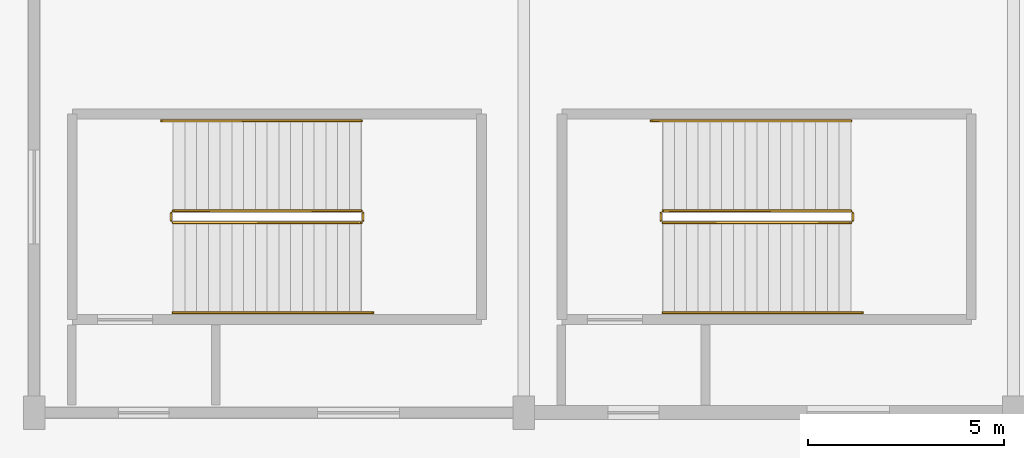
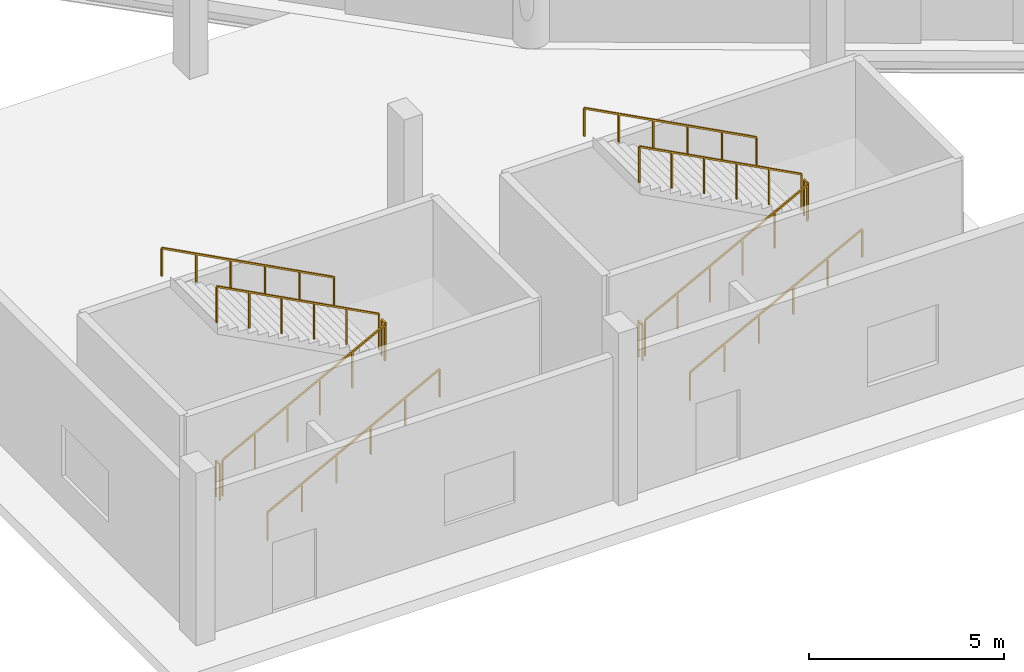
# One storey, part 58 of 82: 12 railings.
"""IFC4 building model written with IfcOpenShell, lengths in metres."""

from ifc_helpers import new_model, si_unit, direction, frame, origin, origin_2d, place, context, subcontext, project, spatial, rectangle, extrude, material, type_object, element, save


model = new_model("IFC4")

# Units and contexts
model_context = context("Model", 3, precision=1e-05, world=origin(), true_north=direction((0.0, 1.0)))
body_context = subcontext(model_context, "Body", "Model", "MODEL_VIEW")
ifc_project = project(units=[si_unit("LENGTHUNIT", "METRE"), si_unit("AREAUNIT", "SQUARE_METRE"), si_unit("VOLUMEUNIT", "CUBIC_METRE"), si_unit("PLANEANGLEUNIT", "RADIAN"), si_unit("MASSUNIT", "GRAM", prefix="KILO")], contexts=[model_context])

# Site, building, storey
site_placement = place(None, origin())
site = spatial("IfcSite", under=ifc_project, at=site_placement, CompositionType="ELEMENT")
building_placement = place(site_placement, origin())
building = spatial("IfcBuilding", under=site, at=building_placement, Name="Zlatoyarsky Gate Stadium", CompositionType="ELEMENT")
storey_placement = place(building_placement, origin())
storey = spatial("IfcBuildingStorey", under=building, at=storey_placement, Name="L00", CompositionType="ELEMENT", Elevation=0.0)

# Railings
ifc_material_1 = material(Name="Powder-coated steel stair guardrail", Category="steel")
railing_type_1 = type_object("IfcRailingType", Name="PAINTED STEEL STAIR WELL GUARDRAIL 1150", PredefinedType="GUARDRAIL", material=ifc_material_1)
railing_1_placement = place(storey_placement, frame((28.050048828125, 15.85009765625, 0.158935546875)))
element("IfcRailing", 1, at=railing_1_placement, inside=storey, type_object=railing_type_1, Name="ST-21 L00 stair guard 1", PredefinedType="GUARDRAIL", context=body_context, shape_type="SweptSolid", body=[
    extrude(rectangle(XDim=0.048095703125, YDim=0.048095703125, at=origin_2d()), frame((0.0, 0.0, 1.1259765625), z_axis=(0.883802130504, 0.0, 0.467860870469), x_axis=(0.0, 1.0, 0.0)), (0.0, 0.0, 1.0), 5.43115234375),
    extrude(rectangle(XDim=0.0419921875, YDim=0.0419921875, at=origin_2d()), origin(), (0.0, 0.0, 1.0), 1.101806640625),
    extrude(rectangle(XDim=0.0419921875, YDim=0.0419921875, at=origin_2d()), frame((0.9599609375, 0.0, 0.50830078125)), (0.0, 0.0, 1.0), 1.101806640625),
    extrude(rectangle(XDim=0.0419921875, YDim=0.0419921875, at=origin_2d()), frame((1.919921875, 0.0, 1.016357421875)), (0.0, 0.0, 1.0), 1.101806640625),
    extrude(rectangle(XDim=0.0419921875, YDim=0.0419921875, at=origin_2d()), frame((2.880126953125, 0.0, 1.524658203125)), (0.0, 0.0, 1.0), 1.101806640625),
    extrude(rectangle(XDim=0.0419921875, YDim=0.0419921875, at=origin_2d()), frame((3.840087890625, 0.0, 2.03271484375)), (0.0, 0.0, 1.0), 1.101806640625),
    extrude(rectangle(XDim=0.0419921875, YDim=0.0419921875, at=origin_2d()), frame((4.800048828125, 0.0, 2.541015625)), (0.0, 0.0, 1.0), 1.101806640625),
])
railing_2_placement = place(storey_placement, frame((32.89990234375, 15.89990234375, 2.699951171875)))
element("IfcRailing", 2, at=railing_2_placement, inside=storey, type_object=railing_type_1, Name="ST-21 L00 stair guard 2", PredefinedType="GUARDRAIL", context=body_context, shape_type="SweptSolid", body=[
    extrude(rectangle(XDim=0.048095703125, YDim=0.048095703125, at=origin_2d()), frame((0.0, 0.0, 1.1259765625), z_axis=(0.0, 1.0, 0.0), x_axis=(-1.0, 0.0, 0.0)), (0.0, 0.0, 1.0), 0.2001953125),
    extrude(rectangle(XDim=0.0419921875, YDim=0.0419921875, at=origin_2d()), origin(), (0.0, 0.0, 1.0), 1.101806640625),
    extrude(rectangle(XDim=0.0419921875, YDim=0.0419921875, at=origin_2d()), frame((0.0, 0.2001953125, 0.0)), (0.0, 0.0, 1.0), 1.101806640625),
])
railing_3_placement = place(storey_placement, frame((32.85009765625, 16.14990234375, 2.85888671875)))
element("IfcRailing", 3, at=railing_3_placement, inside=storey, type_object=railing_type_1, Name="ST-21 L00 stair guard 3", PredefinedType="GUARDRAIL", context=body_context, shape_type="SweptSolid", body=[
    extrude(rectangle(XDim=0.048095703125, YDim=0.048095703125, at=origin_2d()), frame((0.0, 0.0, 1.1259765625), z_axis=(-0.883802130504, 0.0, 0.467860870469), x_axis=(0.0, -1.0, 0.0)), (0.0, 0.0, 1.0), 5.43115234375),
    extrude(rectangle(XDim=0.0419921875, YDim=0.0419921875, at=origin_2d()), origin(), (0.0, 0.0, 1.0), 1.101806640625),
    extrude(rectangle(XDim=0.0419921875, YDim=0.0419921875, at=origin_2d()), frame((-0.9599609375, 0.0, 0.50830078125)), (0.0, 0.0, 1.0), 1.101806640625),
    extrude(rectangle(XDim=0.0419921875, YDim=0.0419921875, at=origin_2d()), frame((-1.919921875, 0.0, 1.016357421875)), (0.0, 0.0, 1.0), 1.101806640625),
    extrude(rectangle(XDim=0.0419921875, YDim=0.0419921875, at=origin_2d()), frame((-2.880126953125, 0.0, 1.524658203125)), (0.0, 0.0, 1.0), 1.101806640625),
    extrude(rectangle(XDim=0.0419921875, YDim=0.0419921875, at=origin_2d()), frame((-3.840087890625, 0.0, 2.03271484375)), (0.0, 0.0, 1.0), 1.101806640625),
    extrude(rectangle(XDim=0.0419921875, YDim=0.0419921875, at=origin_2d()), frame((-4.800048828125, 0.0, 2.541015625)), (0.0, 0.0, 1.0), 1.101806640625),
])
railing_4_placement = place(storey_placement, frame((28.0, 15.89990234375, 0.0)))
element("IfcRailing", 4, at=railing_4_placement, inside=storey, type_object=railing_type_1, Name="ST-21 L00 stair guard 4", PredefinedType="GUARDRAIL", context=body_context, shape_type="SweptSolid", body=[
    extrude(rectangle(XDim=0.048095703125, YDim=0.048095703125, at=origin_2d()), frame((0.0, 0.0, 1.1259765625), z_axis=(0.0, 1.0, 0.0), x_axis=(-1.0, 0.0, 0.0)), (0.0, 0.0, 1.0), 0.2001953125),
    extrude(rectangle(XDim=0.0419921875, YDim=0.0419921875, at=origin_2d()), origin(), (0.0, 0.0, 1.0), 1.101806640625),
    extrude(rectangle(XDim=0.0419921875, YDim=0.0419921875, at=origin_2d()), frame((0.0, 0.2001953125, 0.0)), (0.0, 0.0, 1.0), 1.101806640625),
])
railing_5_placement = place(storey_placement, frame((40.550048828125, 15.85009765625, 0.158935546875)))
element("IfcRailing", 5, at=railing_5_placement, inside=storey, type_object=railing_type_1, Name="ST-22 L00 stair guard 1", PredefinedType="GUARDRAIL", context=body_context, shape_type="SweptSolid", body=[
    extrude(rectangle(XDim=0.048095703125, YDim=0.048095703125, at=origin_2d()), frame((0.0, 0.0, 1.1259765625), z_axis=(0.883802130504, 0.0, 0.467860870469), x_axis=(0.0, 1.0, 0.0)), (0.0, 0.0, 1.0), 5.43115234375),
    extrude(rectangle(XDim=0.0419921875, YDim=0.0419921875, at=origin_2d()), origin(), (0.0, 0.0, 1.0), 1.101806640625),
    extrude(rectangle(XDim=0.0419921875, YDim=0.0419921875, at=origin_2d()), frame((0.9599609375, 0.0, 0.50830078125)), (0.0, 0.0, 1.0), 1.101806640625),
    extrude(rectangle(XDim=0.0419921875, YDim=0.0419921875, at=origin_2d()), frame((1.919921875, 0.0, 1.016357421875)), (0.0, 0.0, 1.0), 1.101806640625),
    extrude(rectangle(XDim=0.0419921875, YDim=0.0419921875, at=origin_2d()), frame((2.880126953125, 0.0, 1.524658203125)), (0.0, 0.0, 1.0), 1.101806640625),
    extrude(rectangle(XDim=0.0419921875, YDim=0.0419921875, at=origin_2d()), frame((3.840087890625, 0.0, 2.03271484375)), (0.0, 0.0, 1.0), 1.101806640625),
    extrude(rectangle(XDim=0.0419921875, YDim=0.0419921875, at=origin_2d()), frame((4.800048828125, 0.0, 2.541015625)), (0.0, 0.0, 1.0), 1.101806640625),
])
railing_6_placement = place(storey_placement, frame((45.39990234375, 15.89990234375, 2.699951171875)))
element("IfcRailing", 6, at=railing_6_placement, inside=storey, type_object=railing_type_1, Name="ST-22 L00 stair guard 2", PredefinedType="GUARDRAIL", context=body_context, shape_type="SweptSolid", body=[
    extrude(rectangle(XDim=0.048095703125, YDim=0.048095703125, at=origin_2d()), frame((0.0, 0.0, 1.1259765625), z_axis=(0.0, 1.0, 0.0), x_axis=(-1.0, 0.0, 0.0)), (0.0, 0.0, 1.0), 0.2001953125),
    extrude(rectangle(XDim=0.0419921875, YDim=0.0419921875, at=origin_2d()), origin(), (0.0, 0.0, 1.0), 1.101806640625),
    extrude(rectangle(XDim=0.0419921875, YDim=0.0419921875, at=origin_2d()), frame((0.0, 0.2001953125, 0.0)), (0.0, 0.0, 1.0), 1.101806640625),
])
railing_7_placement = place(storey_placement, frame((45.35009765625, 16.14990234375, 2.85888671875)))
element("IfcRailing", 7, at=railing_7_placement, inside=storey, type_object=railing_type_1, Name="ST-22 L00 stair guard 3", PredefinedType="GUARDRAIL", context=body_context, shape_type="SweptSolid", body=[
    extrude(rectangle(XDim=0.048095703125, YDim=0.048095703125, at=origin_2d()), frame((0.0, 0.0, 1.1259765625), z_axis=(-0.883802130504, 0.0, 0.467860870469), x_axis=(0.0, -1.0, 0.0)), (0.0, 0.0, 1.0), 5.43115234375),
    extrude(rectangle(XDim=0.0419921875, YDim=0.0419921875, at=origin_2d()), origin(), (0.0, 0.0, 1.0), 1.101806640625),
    extrude(rectangle(XDim=0.0419921875, YDim=0.0419921875, at=origin_2d()), frame((-0.9599609375, 0.0, 0.50830078125)), (0.0, 0.0, 1.0), 1.101806640625),
    extrude(rectangle(XDim=0.0419921875, YDim=0.0419921875, at=origin_2d()), frame((-1.919921875, 0.0, 1.016357421875)), (0.0, 0.0, 1.0), 1.101806640625),
    extrude(rectangle(XDim=0.0419921875, YDim=0.0419921875, at=origin_2d()), frame((-2.880126953125, 0.0, 1.524658203125)), (0.0, 0.0, 1.0), 1.101806640625),
    extrude(rectangle(XDim=0.0419921875, YDim=0.0419921875, at=origin_2d()), frame((-3.840087890625, 0.0, 2.03271484375)), (0.0, 0.0, 1.0), 1.101806640625),
    extrude(rectangle(XDim=0.0419921875, YDim=0.0419921875, at=origin_2d()), frame((-4.800048828125, 0.0, 2.541015625)), (0.0, 0.0, 1.0), 1.101806640625),
])
railing_8_placement = place(storey_placement, frame((40.5, 15.89990234375, 0.0)))
element("IfcRailing", 8, at=railing_8_placement, inside=storey, type_object=railing_type_1, Name="ST-22 L00 stair guard 4", PredefinedType="GUARDRAIL", context=body_context, shape_type="SweptSolid", body=[
    extrude(rectangle(XDim=0.048095703125, YDim=0.048095703125, at=origin_2d()), frame((0.0, 0.0, 1.1259765625), z_axis=(0.0, 1.0, 0.0), x_axis=(-1.0, 0.0, 0.0)), (0.0, 0.0, 1.0), 0.2001953125),
    extrude(rectangle(XDim=0.0419921875, YDim=0.0419921875, at=origin_2d()), origin(), (0.0, 0.0, 1.0), 1.101806640625),
    extrude(rectangle(XDim=0.0419921875, YDim=0.0419921875, at=origin_2d()), frame((0.0, 0.2001953125, 0.0)), (0.0, 0.0, 1.0), 1.101806640625),
])
ifc_material_2 = material(Name="Brushed stainless steel 316 handrail", Category="steel")
railing_type_2 = type_object("IfcRailingType", Name="STAINLESS STEEL TUBULAR HANDRAIL 900", PredefinedType="HANDRAIL", material=ifc_material_2)
railing_9_placement = place(storey_placement, frame((28.050048828125, 13.550048828125, 0.162841796875)))
element("IfcRailing", 9, at=railing_9_placement, inside=storey, type_object=railing_type_2, Name="ST-21 L00 stair handrail 1", PredefinedType="HANDRAIL", context=body_context, shape_type="SweptSolid", body=[
    extrude(rectangle(XDim=0.048095703125, YDim=0.048095703125, at=origin_2d()), frame((0.0, 0.0, 0.8759765625), z_axis=(0.883785858079, 0.0, 0.467891608238), x_axis=(0.0, 1.0, 0.0)), (0.0, 0.0, 1.0), 5.7705078125),
    extrude(rectangle(XDim=0.0419921875, YDim=0.0419921875, at=origin_2d()), origin(), (0.0, 0.0, 1.0), 0.851806640625),
    extrude(rectangle(XDim=0.0419921875, YDim=0.0419921875, at=origin_2d()), frame((1.02001953125, 0.0, 0.5400390625)), (0.0, 0.0, 1.0), 0.851806640625),
    extrude(rectangle(XDim=0.0419921875, YDim=0.0419921875, at=origin_2d()), frame((2.0400390625, 0.0, 1.080078125)), (0.0, 0.0, 1.0), 0.851806640625),
    extrude(rectangle(XDim=0.0419921875, YDim=0.0419921875, at=origin_2d()), frame((3.059814453125, 0.0, 1.619873046875)), (0.0, 0.0, 1.0), 0.851806640625),
    extrude(rectangle(XDim=0.0419921875, YDim=0.0419921875, at=origin_2d()), frame((4.079833984375, 0.0, 2.159912109375)), (0.0, 0.0, 1.0), 0.851806640625),
    extrude(rectangle(XDim=0.0419921875, YDim=0.0419921875, at=origin_2d()), frame((5.099853515625, 0.0, 2.699951171875)), (0.0, 0.0, 1.0), 0.851806640625),
])
railing_10_placement = place(storey_placement, frame((32.85009765625, 18.449951171875, 2.86279296875)))
element("IfcRailing", 10, at=railing_10_placement, inside=storey, type_object=railing_type_2, Name="ST-21 L00 stair handrail 2", PredefinedType="HANDRAIL", context=body_context, shape_type="SweptSolid", body=[
    extrude(rectangle(XDim=0.048095703125, YDim=0.048095703125, at=origin_2d()), frame((0.0, 0.0, 0.8759765625), z_axis=(-0.883795119882, 0.0, 0.467874113489), x_axis=(0.0, -1.0, 0.0)), (0.0, 0.0, 1.0), 5.770751953125),
    extrude(rectangle(XDim=0.0419921875, YDim=0.0419921875, at=origin_2d()), origin(), (0.0, 0.0, 1.0), 0.851806640625),
    extrude(rectangle(XDim=0.0419921875, YDim=0.0419921875, at=origin_2d()), frame((-1.02001953125, 0.0, 0.5400390625)), (0.0, 0.0, 1.0), 0.851806640625),
    extrude(rectangle(XDim=0.0419921875, YDim=0.0419921875, at=origin_2d()), frame((-2.0400390625, 0.0, 1.080078125)), (0.0, 0.0, 1.0), 0.851806640625),
    extrude(rectangle(XDim=0.0419921875, YDim=0.0419921875, at=origin_2d()), frame((-3.06005859375, 0.0, 1.619873046875)), (0.0, 0.0, 1.0), 0.851806640625),
    extrude(rectangle(XDim=0.0419921875, YDim=0.0419921875, at=origin_2d()), frame((-4.080078125, 0.0, 2.159912109375)), (0.0, 0.0, 1.0), 0.851806640625),
    extrude(rectangle(XDim=0.0419921875, YDim=0.0419921875, at=origin_2d()), frame((-5.10009765625, 0.0, 2.699951171875)), (0.0, 0.0, 1.0), 0.851806640625),
])
railing_11_placement = place(storey_placement, frame((40.550048828125, 13.550048828125, 0.162841796875)))
element("IfcRailing", 11, at=railing_11_placement, inside=storey, type_object=railing_type_2, Name="ST-22 L00 stair handrail 1", PredefinedType="HANDRAIL", context=body_context, shape_type="SweptSolid", body=[
    extrude(rectangle(XDim=0.048095703125, YDim=0.048095703125, at=origin_2d()), frame((0.0, 0.0, 0.8759765625), z_axis=(0.883785858079, 0.0, 0.467891608238), x_axis=(0.0, 1.0, 0.0)), (0.0, 0.0, 1.0), 5.7705078125),
    extrude(rectangle(XDim=0.0419921875, YDim=0.0419921875, at=origin_2d()), origin(), (0.0, 0.0, 1.0), 0.851806640625),
    extrude(rectangle(XDim=0.0419921875, YDim=0.0419921875, at=origin_2d()), frame((1.02001953125, 0.0, 0.5400390625)), (0.0, 0.0, 1.0), 0.851806640625),
    extrude(rectangle(XDim=0.0419921875, YDim=0.0419921875, at=origin_2d()), frame((2.0400390625, 0.0, 1.080078125)), (0.0, 0.0, 1.0), 0.851806640625),
    extrude(rectangle(XDim=0.0419921875, YDim=0.0419921875, at=origin_2d()), frame((3.059814453125, 0.0, 1.619873046875)), (0.0, 0.0, 1.0), 0.851806640625),
    extrude(rectangle(XDim=0.0419921875, YDim=0.0419921875, at=origin_2d()), frame((4.079833984375, 0.0, 2.159912109375)), (0.0, 0.0, 1.0), 0.851806640625),
    extrude(rectangle(XDim=0.0419921875, YDim=0.0419921875, at=origin_2d()), frame((5.099853515625, 0.0, 2.699951171875)), (0.0, 0.0, 1.0), 0.851806640625),
])
railing_12_placement = place(storey_placement, frame((45.35009765625, 18.449951171875, 2.86279296875)))
element("IfcRailing", 12, at=railing_12_placement, inside=storey, type_object=railing_type_2, Name="ST-22 L00 stair handrail 2", PredefinedType="HANDRAIL", context=body_context, shape_type="SweptSolid", body=[
    extrude(rectangle(XDim=0.048095703125, YDim=0.048095703125, at=origin_2d()), frame((0.0, 0.0, 0.8759765625), z_axis=(-0.883795119882, 0.0, 0.467874113489), x_axis=(0.0, -1.0, 0.0)), (0.0, 0.0, 1.0), 5.770751953125),
    extrude(rectangle(XDim=0.0419921875, YDim=0.0419921875, at=origin_2d()), origin(), (0.0, 0.0, 1.0), 0.851806640625),
    extrude(rectangle(XDim=0.0419921875, YDim=0.0419921875, at=origin_2d()), frame((-1.02001953125, 0.0, 0.5400390625)), (0.0, 0.0, 1.0), 0.851806640625),
    extrude(rectangle(XDim=0.0419921875, YDim=0.0419921875, at=origin_2d()), frame((-2.0400390625, 0.0, 1.080078125)), (0.0, 0.0, 1.0), 0.851806640625),
    extrude(rectangle(XDim=0.0419921875, YDim=0.0419921875, at=origin_2d()), frame((-3.06005859375, 0.0, 1.619873046875)), (0.0, 0.0, 1.0), 0.851806640625),
    extrude(rectangle(XDim=0.0419921875, YDim=0.0419921875, at=origin_2d()), frame((-4.080078125, 0.0, 2.159912109375)), (0.0, 0.0, 1.0), 0.851806640625),
    extrude(rectangle(XDim=0.0419921875, YDim=0.0419921875, at=origin_2d()), frame((-5.10009765625, 0.0, 2.699951171875)), (0.0, 0.0, 1.0), 0.851806640625),
])

save(model, "model.ifc")
